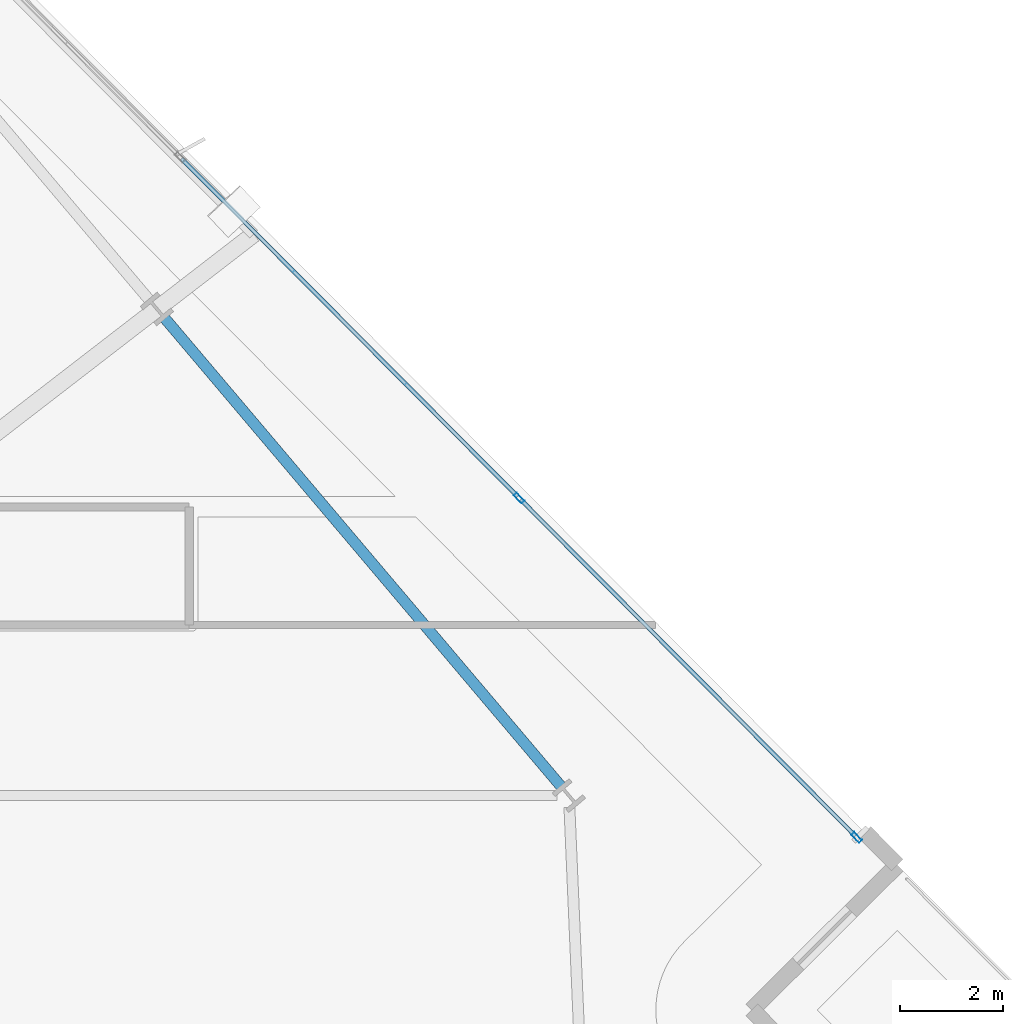
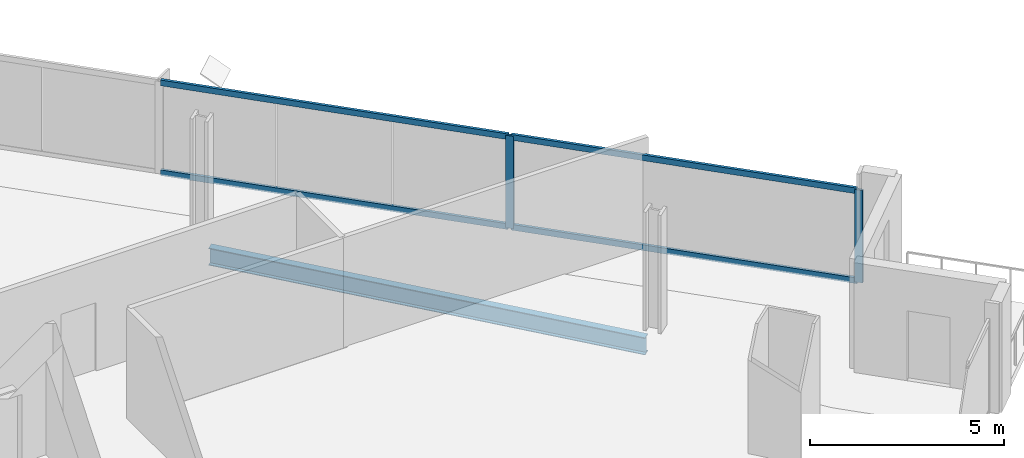
# One storey, part 19 of 32: 6 members, 1 beam, 1 element without a shape of its own.
"""IFC4 building model written with IfcOpenShell, lengths in metres."""

from ifc_helpers import new_model, si_unit, direction, frame, origin, origin_2d, place, context, subcontext, project, spatial, hollow_rectangle, i_section, extrude, material, material_profile, profile_set, type_object, element, aggregate, save


model = new_model("IFC4")

# Units and contexts
model_context = context("Model", 3, precision=1e-05, world=origin(), true_north=direction((0.0, 1.0)))
body_context = subcontext(model_context, "Body", "Model", "MODEL_VIEW")
ifc_project = project(units=[si_unit("LENGTHUNIT", "METRE"), si_unit("AREAUNIT", "SQUARE_METRE"), si_unit("VOLUMEUNIT", "CUBIC_METRE"), si_unit("PLANEANGLEUNIT", "RADIAN"), si_unit("MASSUNIT", "GRAM", prefix="KILO")], contexts=[model_context])

# Site, building, storey
site_placement = place(None, origin())
site = spatial("IfcSite", under=ifc_project, at=site_placement, CompositionType="ELEMENT")
building_placement = place(site_placement, origin())
building = spatial("IfcBuilding", under=site, at=building_placement, Name="Haldenkirk Collegiate Tower", CompositionType="ELEMENT")
storey_placement = place(building_placement, frame((0.0, 0.0, 178.199951171875)))
storey = spatial("IfcBuildingStorey", under=building, at=storey_placement, Name="L44", CompositionType="ELEMENT", Elevation=178.199951171875)

# Beam
ifc_material_1 = material(Name="Steel ASTM A992 Grade 50", Category="steel")
ifc_material_profile_1 = material_profile(ifc_material_1, i_section(OverallWidth=0.2119140625, OverallDepth=0.5439453125, WebThickness=0.01318359375, FlangeThickness=0.021240234375, at=origin_2d()), Name="W21X83")
ifc_profile_set_1 = profile_set([ifc_material_profile_1], Name="Steel ASTM A992 Grade 50")
beam_type = type_object("IfcBeamType", Name="BM-SPANDREL-W21X83", PredefinedType="SPANDREL", material=ifc_profile_set_1)
beam_placement = place(storey_placement, frame((61.051513671875, 30.998779296875, -0.56201171875), z_axis=(-0.646116898468, 0.763238464383, 0.0), x_axis=(-0.763238464383, -0.646116898468, 0.0)))
element("IfcBeam", 1, at=beam_placement, inside=storey, type_object=beam_type, Name="L44 perimeter spandrel beam 06", PredefinedType="SPANDREL", context=body_context, shape_type="SweptSolid", body=[
    extrude(i_section(OverallWidth=0.2119140625, OverallDepth=0.5439453125, WebThickness=0.01318359375, FlangeThickness=0.021240234375, at=origin_2d()), origin(), (0.0, 0.0, 1.0), 11.967041015625),
])

# Curtain wall, members
ifc_material_2 = material(Name="Anodised architectural bronze aluminium", Category="aluminium")
curtain_wall_type = type_object("IfcCurtainWallType", Name="CW-SYS1-CONVEX-LOW", PredefinedType="USERDEFINED", material=ifc_material_2)
curtain_wall_placement = place(storey_placement, origin())
curtain_wall = element("IfcCurtainWall", 2, at=curtain_wall_placement, inside=storey, type_object=curtain_wall_type, Name="L44 Lower tower convex bronze-framed unitised curtain wall", ObjectType="UNITISED CURTAIN WALL", PredefinedType="USERDEFINED")
ifc_material_profile_2 = material_profile(ifc_material_2, hollow_rectangle(XDim=0.080078125, YDim=0.219970703125, WallThickness=0.0048828125, at=origin_2d()), Name="CW-MUL-1A")
ifc_profile_set_2 = profile_set([ifc_material_profile_2], Name="Anodised architectural bronze aluminium")
member_type_1 = type_object("IfcMemberType", Name="CW-MUL-1A", PredefinedType="MULLION", material=ifc_profile_set_2)
member_1_placement = place(storey_placement, frame((60.2294921875, 36.623779296875, 0.0), z_axis=(0.0, 0.0, 1.0), x_axis=(0.708953598447, 0.705255127772, 0.0)))
member_1 = element("IfcMember", 3, at=member_1_placement, type_object=member_type_1, Name="CW-1A mullion 4", PredefinedType="MULLION", context=body_context, shape_type="SweptSolid", body=[
    extrude(hollow_rectangle(XDim=0.080078125, YDim=0.219970703125, WallThickness=0.0048828125, at=origin_2d()), origin(), (0.0, 0.0, 1.0), 2.9111328125),
])
member_2_placement = place(storey_placement, frame((66.80859375, 30.010009765625, 0.0), z_axis=(0.0, 0.0, 1.0), x_axis=(0.708953598447, 0.705255127772, 0.0)))
member_2 = element("IfcMember", 4, at=member_2_placement, type_object=member_type_1, Name="CW-1A mullion 5", PredefinedType="MULLION", context=body_context, shape_type="SweptSolid", body=[
    extrude(hollow_rectangle(XDim=0.080078125, YDim=0.219970703125, WallThickness=0.0048828125, at=origin_2d()), origin(), (0.0, 0.0, 1.0), 2.9111328125),
])
ifc_material_profile_3 = material_profile(ifc_material_2, hollow_rectangle(XDim=0.080078125, YDim=0.179931640625, WallThickness=0.0048828125, at=origin_2d()), Name="CW-TRN-1A")
ifc_profile_set_3 = profile_set([ifc_material_profile_3], Name="Anodised architectural bronze aluminium")
member_type_2 = type_object("IfcMemberType", Name="CW-TRN-1A", PredefinedType="USERDEFINED", material=ifc_profile_set_3)
member_3_placement = place(storey_placement, frame((53.650390625, 43.2373046875, 0.0400390625), z_axis=(0.705264544204, -0.708944231015, 0.0), x_axis=(0.708944231015, 0.705264544204, 0.0)))
member_3 = element("IfcMember", 5, at=member_3_placement, type_object=member_type_2, Name="CW-1A transom 3.1", ObjectType="TRANSOM", PredefinedType="USERDEFINED", context=body_context, shape_type="SweptSolid", body=[
    extrude(hollow_rectangle(XDim=0.080078125, YDim=0.179931640625, WallThickness=0.0048828125, at=origin_2d()), origin(), (0.0, 0.0, 1.0), 9.288818359375),
])
member_4_placement = place(storey_placement, frame((53.650390625, 43.2373046875, 2.87109375), z_axis=(0.705264544204, -0.708944231015, 0.0), x_axis=(0.708944231015, 0.705264544204, 0.0)))
member_4 = element("IfcMember", 6, at=member_4_placement, type_object=member_type_2, Name="CW-1A transom 3.2", ObjectType="TRANSOM", PredefinedType="USERDEFINED", context=body_context, shape_type="SweptSolid", body=[
    extrude(hollow_rectangle(XDim=0.080078125, YDim=0.179931640625, WallThickness=0.0048828125, at=origin_2d()), origin(), (0.0, 0.0, 1.0), 9.288818359375),
])
member_5_placement = place(storey_placement, frame((60.2578125, 36.595458984375, 0.0400390625), z_axis=(0.705243357774, -0.708965306849, 0.0), x_axis=(0.708965306849, 0.705243357774, 0.0)))
member_5 = element("IfcMember", 7, at=member_5_placement, type_object=member_type_2, Name="CW-1A transom 4.1", ObjectType="TRANSOM", PredefinedType="USERDEFINED", context=body_context, shape_type="SweptSolid", body=[
    extrude(hollow_rectangle(XDim=0.080078125, YDim=0.179931640625, WallThickness=0.0048828125, at=origin_2d()), origin(), (0.0, 0.0, 1.0), 9.248779296875),
])
member_6_placement = place(storey_placement, frame((60.2578125, 36.595458984375, 2.87109375), z_axis=(0.705243357774, -0.708965306849, 0.0), x_axis=(0.708965306849, 0.705243357774, 0.0)))
member_6 = element("IfcMember", 8, at=member_6_placement, type_object=member_type_2, Name="CW-1A transom 4.2", ObjectType="TRANSOM", PredefinedType="USERDEFINED", context=body_context, shape_type="SweptSolid", body=[
    extrude(hollow_rectangle(XDim=0.080078125, YDim=0.179931640625, WallThickness=0.0048828125, at=origin_2d()), origin(), (0.0, 0.0, 1.0), 9.248779296875),
])
aggregate(curtain_wall, [member_1, member_2, member_3, member_4, member_5, member_6])

save(model, "model.ifc")
